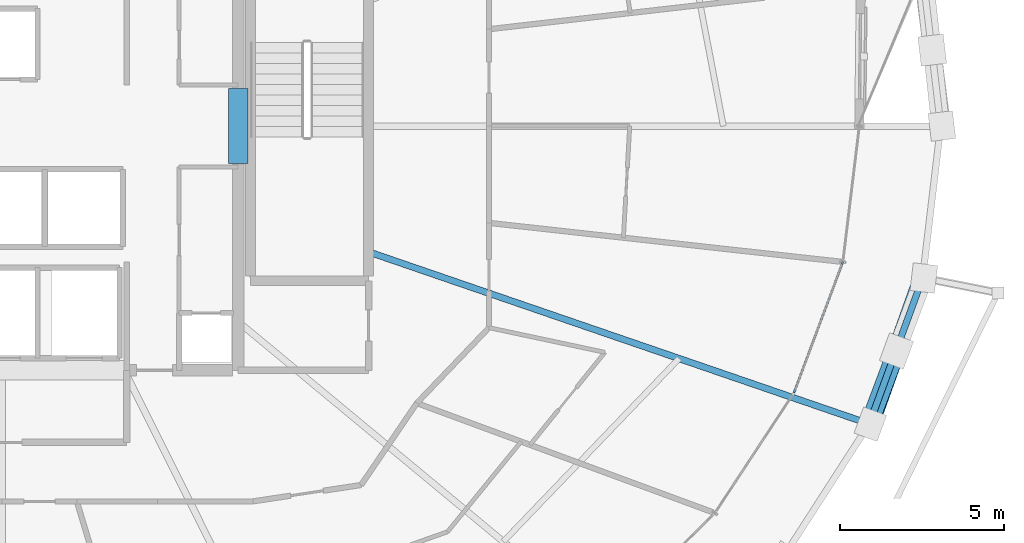
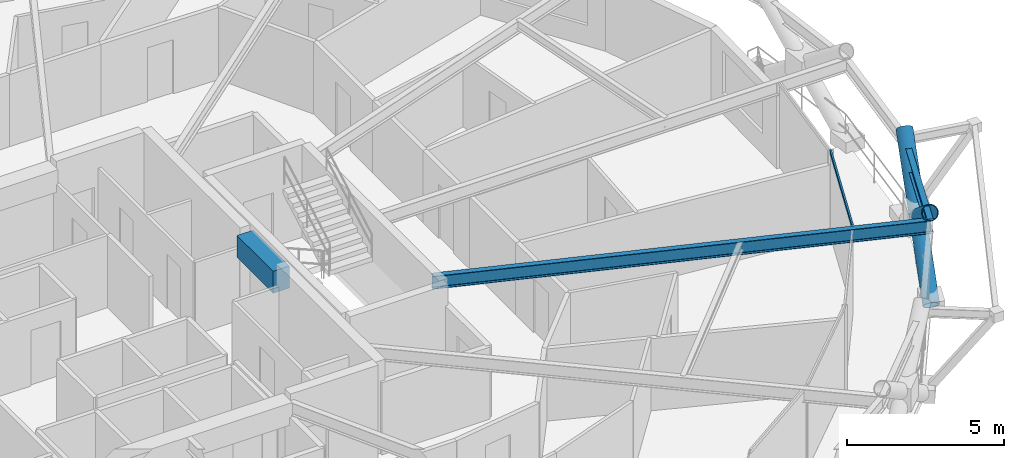
# One storey, part 8 of 21: 3 beams, 3 members, 1 element without a shape of its own.
"""IFC4 building model written with IfcOpenShell, lengths in metres."""

from ifc_helpers import new_model, si_unit, direction, frame, origin, origin_2d, place, context, subcontext, project, spatial, rectangle, hollow_rectangle, hollow_circle, i_section, extrude, material, layer, layer_set, material_profile, profile_set, type_object, element, aggregate, save


model = new_model("IFC4")

# Units and contexts
model_context = context("Model", 3, precision=1e-05, world=origin(), true_north=direction((0.0, 1.0)))
body_context = subcontext(model_context, "Body", "Model", "MODEL_VIEW")
ifc_project = project(units=[si_unit("LENGTHUNIT", "METRE"), si_unit("AREAUNIT", "SQUARE_METRE"), si_unit("VOLUMEUNIT", "CUBIC_METRE"), si_unit("PLANEANGLEUNIT", "RADIAN"), si_unit("MASSUNIT", "GRAM", prefix="KILO")], contexts=[model_context])

# Site, building, storey
site_placement = place(None, origin())
site = spatial("IfcSite", under=ifc_project, at=site_placement, CompositionType="ELEMENT")
building_placement = place(site_placement, origin())
building = spatial("IfcBuilding", under=site, at=building_placement, Name="Veldorina Hangang Commons", CompositionType="ELEMENT")
storey_placement = place(building_placement, frame((0.0, 0.0, 120.800048828125)))
storey = spatial("IfcBuildingStorey", under=building, at=storey_placement, Name="L30", CompositionType="ELEMENT", Elevation=120.800048828125)

# Beams
ifc_material_1 = material(Name="Concrete C60/75", Category="concrete")
ifc_material_profile_1 = material_profile(ifc_material_1, rectangle(XDim=0.60009765625, YDim=0.85009765625, at=origin_2d()), Name="RC-CB-600x850")
ifc_profile_set_1 = profile_set([ifc_material_profile_1], Name="Concrete C60/75")
beam_type_1 = type_object("IfcBeamType", Name="BM-CB850", PredefinedType="LINTEL", material=ifc_profile_set_1)
beam_1_placement = place(storey_placement, frame((39.199951171875, 22.85009765625, 2.925048828125), z_axis=(0.0, 1.0, 0.0), x_axis=(-1.0, 0.0, 0.0)))
element("IfcBeam", 1, at=beam_1_placement, inside=storey, type_object=beam_type_1, Name="L30 E core coupling lintel beam", PredefinedType="LINTEL", context=body_context, shape_type="SweptSolid", body=[
    extrude(rectangle(XDim=0.60009765625, YDim=0.85009765625, at=origin_2d()), origin(), (0.0, 0.0, 1.0), 2.2998046875),
])
ifc_material_2 = material(Name="Steel SM420-TMC", Category="steel")
ifc_material_profile_2 = material_profile(ifc_material_2, i_section(OverallWidth=0.199951171875, OverallDepth=0.5, WebThickness=0.010009765625, FlangeThickness=0.01611328125, FilletRadius=0.01611328125, at=origin_2d()), Name="H-500x200x10x16")
ifc_profile_set_2 = profile_set([ifc_material_profile_2], Name="Steel SM420-TMC")
beam_type_2 = type_object("IfcBeamType", Name="BM-FG500", PredefinedType="BEAM", material=ifc_profile_set_2)
beam_2_placement = place(storey_placement, frame((43.179931640625, 20.159912109375, 3.099853515625), z_axis=(0.945765438335, -0.324850328077, 0.0), x_axis=(0.324850328077, 0.945765438335, 0.0)))
element("IfcBeam", 2, at=beam_2_placement, inside=storey, type_object=beam_type_2, Name="L30 radial floor girder 16", PredefinedType="BEAM", context=body_context, shape_type="SweptSolid", body=[
    extrude(i_section(OverallWidth=0.199951171875, OverallDepth=0.5, WebThickness=0.010009765625, FlangeThickness=0.01611328125, FilletRadius=0.01611328125, at=origin_2d()), origin(), (0.0, 0.0, 1.0), 16.1484375),
])
ifc_material_profile_3 = material_profile(ifc_material_2, i_section(OverallWidth=0.199951171875, OverallDepth=0.5, WebThickness=0.010009765625, FlangeThickness=0.01611328125, FilletRadius=0.01611328125, at=origin_2d()), Name="H-500x200x10x16")
ifc_profile_set_3 = profile_set([ifc_material_profile_3], Name="Steel SM420-TMC")
beam_type_3 = type_object("IfcBeamType", Name="BM-RB500", PredefinedType="BEAM", material=ifc_profile_set_3)
beam_3_placement = place(storey_placement, frame((58.45263671875, 14.9140625, 3.099853515625), z_axis=(0.343569350265, 0.939127308494, 0.0), x_axis=(-0.939127308494, 0.343569350265, 0.0)))
element("IfcBeam", 3, at=beam_3_placement, inside=storey, type_object=beam_type_3, Name="L30 perimeter hoop ring beam 30", PredefinedType="BEAM", context=body_context, shape_type="SweptSolid", body=[
    extrude(i_section(OverallWidth=0.199951171875, OverallDepth=0.5, WebThickness=0.010009765625, FlangeThickness=0.01611328125, FilletRadius=0.01611328125, at=origin_2d()), origin(), (0.0, 0.0, 1.0), 4.742431640625),
])

# Curtain wall, member
ifc_material_3 = material(Name="Glass Low-E Triple IGU", Category="glass")
ifc_layer = layer(ifc_material_3, 0.179931640625)
ifc_layer_set = layer_set([ifc_layer], Name="Glass Low-E Triple IGU")
curtain_wall_type = type_object("IfcCurtainWallType", Name="CW-SYS-Z2", PredefinedType="NOTDEFINED", material=ifc_layer_set)
curtain_wall_placement = place(storey_placement, origin())
curtain_wall = element("IfcCurtainWall", 4, at=curtain_wall_placement, inside=storey, type_object=curtain_wall_type, Name="L30 unitised curtain wall CW-L30-R2", PredefinedType="NOTDEFINED")
ifc_material_4 = material(Name="Aluminium Anodized AA6063-T6", Category="aluminium")
ifc_material_profile_4 = material_profile(ifc_material_4, hollow_rectangle(XDim=0.06005859375, YDim=0.139892578125, WallThickness=0.00341796875, at=origin_2d()), Name="ALU-RHS-140x60x3.5")
ifc_profile_set_4 = profile_set([ifc_material_profile_4], Name="Aluminium Anodized AA6063-T6")
member_type_1 = type_object("IfcMemberType", Name="CW-TRN-140", PredefinedType="USERDEFINED", material=ifc_profile_set_4)
member_1_placement = place(storey_placement, frame((56.15673828125, 15.869140625, 3.27001953125), z_axis=(0.349701785494, 0.93686106826, 0.0), x_axis=(-0.93686106826, 0.349701785494, 0.0)))
member_1 = element("IfcMember", 5, at=member_1_placement, type_object=member_type_1, Name="CW-L30-R2 facet 4 transom 1", ObjectType="TRANSOM", PredefinedType="USERDEFINED", context=body_context, shape_type="SweptSolid", body=[
    extrude(hollow_rectangle(XDim=0.06005859375, YDim=0.139892578125, WallThickness=0.00341796875, at=origin_2d()), origin(), (0.0, 0.0, 1.0), 4.25439453125),
])
aggregate(curtain_wall, [member_1])

# Members
ifc_material_profile_5 = material_profile(ifc_material_2, hollow_circle(Radius=0.27490234375, WallThickness=0.028076171875, at=origin_2d()), Name="CHS-550x28")
ifc_profile_set_5 = profile_set([ifc_material_profile_5], Name="Steel SM420-TMC")
member_type_2 = type_object("IfcMemberType", Name="DG-CHS550", PredefinedType="BRACE", material=ifc_profile_set_5)
member_2_placement = place(storey_placement, frame((58.48486328125, 14.90478515625, 0.0), z_axis=(0.267420727743, 0.750082529034, 0.604865566892), x_axis=(-0.941927077938, 0.335817479961, 0.0)))
element("IfcMember", 6, at=member_2_placement, inside=storey, type_object=member_type_2, Name="L30 continuous perimeter diagrid brace 30", PredefinedType="BRACE", context=body_context, shape_type="SweptSolid", body=[
    extrude(hollow_circle(Radius=0.27490234375, WallThickness=0.028076171875, at=origin_2d()), origin(), (0.0, 0.0, 1.0), 5.951416015625),
])
member_3_placement = place(storey_placement, frame((59.28125, 17.13818359375, 1.801025390625), z_axis=(-0.279925118458, -0.746248397786, 0.603949713849), x_axis=(0.936295361372, -0.351213604908, 0.0)))
element("IfcMember", 7, at=member_3_placement, inside=storey, type_object=member_type_2, Name="L30 split perimeter diagrid upper brace 31", PredefinedType="BRACE", context=body_context, shape_type="SweptSolid", body=[
    extrude(hollow_circle(Radius=0.27490234375, WallThickness=0.028076171875, at=origin_2d()), origin(), (0.0, 0.0, 1.0), 2.978515625),
])

save(model, "model.ifc")
